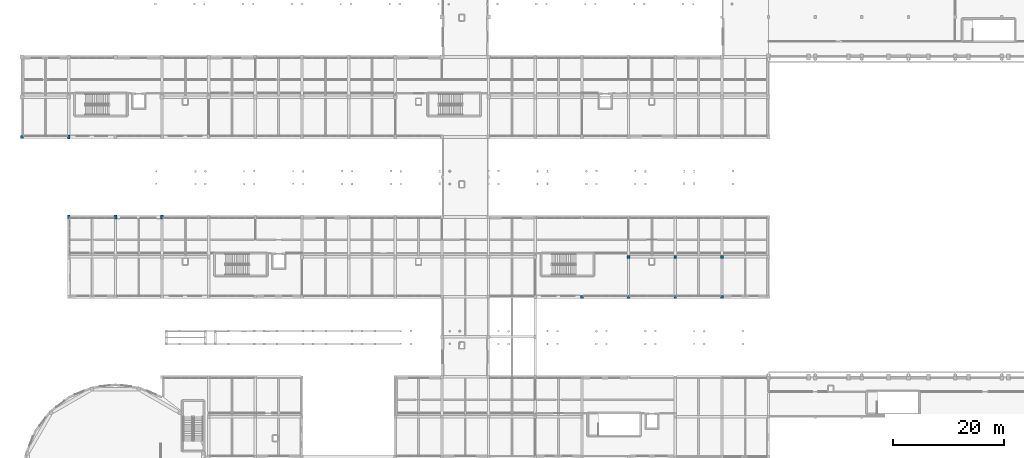
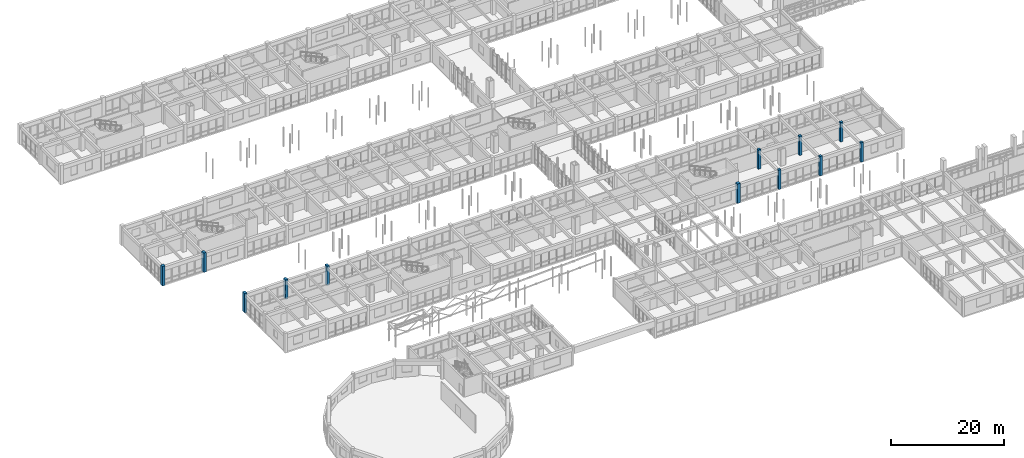
# One storey, part 9 of 147: 12 columns.
"""IFC4 building model written with IfcOpenShell, lengths in metres."""

import ifcopenshell
import ifcopenshell.guid

model = None  # the IFC model being written
_history = None  # IfcOwnerHistory: only IFC2X3 demands one
_inside = {}  # id of a spatial element -> (the spatial element, [elements in it])
_under = {}  # id of a project, library or spatial element -> (it, [spatial elements below it])
_declared = {}  # id of a project -> (the project, [libraries it declares])
_typed = {}  # id of a type object -> (the type object, [elements of that type])
_made_of = {}  # id of a material, layer set ... -> (it, [elements and type objects made of it])


def new_model(schema):
    """Start an empty IFC model of exactly this schema.

    Asked for "IFC4X3", IfcOpenShell would pick the latest addendum, in which some entities
    have other attributes; the version numbers below select the first issue.
    IFC2X3 requires an IfcOwnerHistory on every rooted entity: one is made here for all.
    """
    global model, _history
    if schema == "IFC4X3":
        model = ifcopenshell.file(schema_version=(4, 3, 0, 0))
    else:
        model = ifcopenshell.file(schema=schema)
    _inside.clear()
    _under.clear()
    _declared.clear()
    _typed.clear()
    _made_of.clear()
    _history = None
    if model.schema == "IFC2X3":
        org = make("IfcOrganization", Name="unknown")
        user = make(
            "IfcPersonAndOrganization",
            ThePerson=make("IfcPerson", FamilyName="unknown"),
            TheOrganization=org,
        )
        app = make(
            "IfcApplication",
            ApplicationDeveloper=org,
            Version="unknown",
            ApplicationFullName="unknown",
            ApplicationIdentifier="unknown",
        )
        _history = make(
            "IfcOwnerHistory",
            OwningUser=user,
            OwningApplication=app,
            ChangeAction="ADDED",
            CreationDate=0,
        )
    return model


def make(cls, **values):
    """One entity of the class cls with the attributes given. An attribute that is None is left unset."""
    return model.create_entity(
        cls, **{name: value for name, value in values.items() if value is not None}
    )


def rooted(cls, **values):
    """An entity with a GlobalId (a new one), such as an element, a storey or a relation."""
    return make(cls, GlobalId=ifcopenshell.guid.new(), OwnerHistory=_history, **values)


def si_unit(unit_type, name, prefix=None):
    """IfcSIUnit, for example si_unit("LENGTHUNIT", "METRE", prefix="MILLI")."""
    return make("IfcSIUnit", UnitType=unit_type, Prefix=prefix, Name=name)


def assignment(units):
    """IfcUnitAssignment: the units of a project."""
    return None if units is None else make("IfcUnitAssignment", Units=units)


def point(xyz):
    """IfcCartesianPoint."""
    return None if xyz is None else make("IfcCartesianPoint", Coordinates=xyz)


def direction(xyz):
    """IfcDirection."""
    return None if xyz is None else make("IfcDirection", DirectionRatios=xyz)


def frame(location, z_axis=None, x_axis=None):
    """IfcAxis2Placement3D, a coordinate frame: its origin and axes. An axis left out is left unset."""
    return make(
        "IfcAxis2Placement3D",
        Location=point(location),
        Axis=direction(z_axis),
        RefDirection=direction(x_axis),
    )


def frame_2d(location, x_axis=None):
    """IfcAxis2Placement2D, a coordinate frame in the plane: its origin and x axis."""
    return make(
        "IfcAxis2Placement2D", Location=point(location), RefDirection=direction(x_axis)
    )


def origin():
    """The frame at (0, 0, 0) with its axes left unset."""
    return frame((0.0, 0.0, 0.0))


def origin_2d():
    """The frame at (0, 0) in the plane with its x axis left unset."""
    return frame_2d((0.0, 0.0))


def place(relative_to, where):
    """IfcLocalPlacement: puts the frame where relative to a parent placement (None: the world)."""
    return make(
        "IfcLocalPlacement", PlacementRelTo=relative_to, RelativePlacement=where
    )


def context(
    kind, dimensions, precision=None, world=None, true_north=None, identifier=None
):
    """IfcGeometricRepresentationContext, for example the 3D "Model" context."""
    return make(
        "IfcGeometricRepresentationContext",
        ContextIdentifier=identifier,
        ContextType=kind,
        CoordinateSpaceDimension=dimensions,
        Precision=precision,
        WorldCoordinateSystem=world,
        TrueNorth=true_north,
    )


def subcontext(parent, identifier, kind, view, scale=None):
    """IfcGeometricRepresentationSubContext, for example "Body" below "Model"."""
    return make(
        "IfcGeometricRepresentationSubContext",
        ContextIdentifier=identifier,
        ContextType=kind,
        ParentContext=parent,
        TargetScale=scale,
        TargetView=view,
    )


def project(units=None, contexts=None):
    """IfcProject with its units and contexts."""
    return rooted(
        "IfcProject",
        Name="project",
        RepresentationContexts=contexts,
        UnitsInContext=assignment(units),
    )


def spatial(cls, under=None, at=None, **own):
    """A site, building, storey or space (cls), placed at a placement, below another one or the project."""
    s = rooted(cls, ObjectPlacement=at, **own)
    if under is not None:
        _under.setdefault(under.id(), (under, []))[1].append(s)
    return s


def profile(cls, at=None, kind="AREA", **sizes):
    """A parametric profile (cls). Its sizes go by their IFC names, for example OverallWidth=200.0."""
    return make(cls, ProfileType=kind, Position=at, **sizes)


def rectangle(**sizes):
    """IfcRectangleProfileDef."""
    return profile("IfcRectangleProfileDef", **sizes)


def extrude(swept, where, along, depth):
    """IfcExtrudedAreaSolid: the profile swept, set in the frame where, extruded along a direction by depth."""
    return make(
        "IfcExtrudedAreaSolid",
        SweptArea=swept,
        Position=where,
        ExtrudedDirection=direction(along),
        Depth=depth,
    )


def shape(context_of_items, identifier, shape_type, items):
    """IfcShapeRepresentation: the items that make up one representation, for example the "Body"."""
    return make(
        "IfcShapeRepresentation",
        ContextOfItems=context_of_items,
        RepresentationIdentifier=identifier,
        RepresentationType=shape_type,
        Items=items,
    )


def material(Name=None, Category=None):
    """IfcMaterial."""
    return make("IfcMaterial", Name=Name, Category=Category)


def material_profile(
    of_material, cross_section, Name=None, Category=None, Priority=None
):
    """IfcMaterialProfile: a cross section and its material."""
    return make(
        "IfcMaterialProfile",
        Name=Name,
        Material=of_material,
        Profile=cross_section,
        Priority=Priority,
        Category=Category,
    )


def profile_set(profiles, Name=None, composite=None):
    """IfcMaterialProfileSet."""
    return make(
        "IfcMaterialProfileSet",
        Name=Name,
        MaterialProfiles=profiles,
        CompositeProfile=composite,
    )


def made_of(thing, what):
    """Note that an element or type object is made of a material, layer set ...; save() writes the relation."""
    if what is not None:
        _made_of.setdefault(what.id(), (what, []))[1].append(thing)
    return thing


def type_object(cls, material=None, **own):
    """A type object (cls), such as IfcWallType, which elements share."""
    return made_of(rooted(cls, **own), material)


def element(
    cls,
    number,
    at=None,
    inside=None,
    cuts=None,
    type_object=None,
    material=None,
    context=None,
    identifier="Body",
    shape_type=None,
    held_by="IfcProductDefinitionShape",
    body=None,
    shapes=None,
    **own,
):
    """One element of the class cls, such as IfcWall. Its Tag is "e" and its number.

    at: its placement. inside: the storey or other place that contains it. cuts: it is an
    opening in that element (IfcRelVoidsElement). A single representation is given by context,
    identifier, shape_type and body (its items); several are given by shapes. held_by: the class
    of the entity that holds the representations. save() writes the other relations.
    """
    e = rooted(cls, Tag="e%d" % number, ObjectPlacement=at, **own)
    if body is not None:
        shapes = [shape(context, identifier, shape_type, body)]
    if shapes is not None:
        e.Representation = make(held_by, Representations=shapes)
    if inside is not None:
        _inside.setdefault(inside.id(), (inside, []))[1].append(e)
    if cuts is not None:
        rooted(
            "IfcRelVoidsElement", RelatingBuildingElement=cuts, RelatedOpeningElement=e
        )
    if type_object is not None:
        _typed.setdefault(type_object.id(), (type_object, []))[1].append(e)
    return made_of(e, material)


def aggregate(whole, parts):
    """IfcRelAggregates: a whole, such as a stair, and the parts it consists of."""
    return rooted("IfcRelAggregates", RelatingObject=whole, RelatedObjects=parts)


def save(model, path):
    """Write the relations noted so far, then the file.

    IfcRelAggregates (storeys below a building ...), IfcRelContainedInSpatialStructure (elements
    in a storey), IfcRelDefinesByType, IfcRelAssociatesMaterial and IfcRelDeclares: one each for
    every whole, place, type object, material and project.
    """
    for whole, parts in _under.values():
        aggregate(whole, parts)
    for where, things in _inside.values():
        rooted(
            "IfcRelContainedInSpatialStructure",
            RelatedElements=things,
            RelatingStructure=where,
        )
    for kind, things in _typed.values():
        rooted("IfcRelDefinesByType", RelatedObjects=things, RelatingType=kind)
    for what, things in _made_of.values():
        rooted("IfcRelAssociatesMaterial", RelatedObjects=things, RelatingMaterial=what)
    for by, libraries in _declared.values():
        rooted("IfcRelDeclares", RelatingContext=by, RelatedDefinitions=libraries)
    model.write(path)


model = new_model("IFC4")

# Units and contexts
model_context = context("Model", 3, precision=1e-05, world=origin(), true_north=direction((0.0, 1.0)))
body_context = subcontext(model_context, "Body", "Model", "MODEL_VIEW")
ifc_project = project(units=[si_unit("LENGTHUNIT", "METRE"), si_unit("AREAUNIT", "SQUARE_METRE"), si_unit("VOLUMEUNIT", "CUBIC_METRE"), si_unit("PLANEANGLEUNIT", "RADIAN"), si_unit("MASSUNIT", "GRAM", prefix="KILO")], contexts=[model_context])

# Site, building, storey
site_placement = place(None, origin())
site = spatial("IfcSite", under=ifc_project, at=site_placement, CompositionType="ELEMENT")
building_placement = place(site_placement, origin())
building = spatial("IfcBuilding", under=site, at=building_placement, Name="Malvenik Polytechnic", CompositionType="ELEMENT")
storey_placement = place(building_placement, frame((0.0, 0.0, 5.10009765625)))
storey = spatial("IfcBuildingStorey", under=building, at=storey_placement, Name="L01", CompositionType="ELEMENT", Elevation=5.10009765625)

# Columns
ifc_material = material(Name="Concrete C35/45", Category="concrete")
ifc_material_profile_1 = material_profile(ifc_material, rectangle(XDim=0.60009765625, YDim=0.60009765625, at=origin_2d()), Name="RC COL 600x600")
ifc_profile_set_1 = profile_set([ifc_material_profile_1], Name="Concrete C35/45")
column_type_1 = type_object("IfcColumnType", Name="STR-COL-C-06", PredefinedType="COLUMN", material=ifc_profile_set_1)
for number, where, z_axis, x_axis, name in (
    (1, (0.0, 79.199951171875, 0.0), (0.0, 0.0, 1.0), (1.0, 0.0, 0.0), "Column C-06 L01 (0.0,79.2)"),
    (2, (100.800048828125, 50.39990234375, 0.0), (0.0, 0.0, 1.0), (1.0, 0.0, 0.0), "Column C-06 L01 (100.8,50.4)"),
):
    element("IfcColumn", number, at=place(storey_placement, frame(where, z_axis=z_axis, x_axis=x_axis)), inside=storey, type_object=column_type_1, Name=name, PredefinedType="COLUMN", context=body_context, shape_type="SweptSolid", body=[
        extrude(rectangle(XDim=0.60009765625, YDim=0.60009765625, at=origin_2d()), origin(), (0.0, 0.0, 1.0), 4.199951171875),
    ])
ifc_material_profile_2 = material_profile(ifc_material, rectangle(XDim=0.5, YDim=0.5, at=origin_2d()), Name="RC COL 500x500")
ifc_profile_set_2 = profile_set([ifc_material_profile_2], Name="Concrete C35/45")
column_type_2 = type_object("IfcColumnType", Name="STR-COL-C-08", PredefinedType="COLUMN", material=ifc_profile_set_2)
for number, where, z_axis, x_axis, name in (
    (3, (109.199951171875, 50.39990234375, 0.0), (0.0, 0.0, 1.0), (1.0, 0.0, 0.0), "Column C-08 L01 (109.2,50.4)"),
    (4, (109.199951171875, 57.60009765625, 0.0), (0.0, 0.0, 1.0), (1.0, 0.0, 0.0), "Column C-08 L01 (109.2,57.6)"),
    (5, (117.60009765625, 50.39990234375, 0.0), (0.0, 0.0, 1.0), (1.0, 0.0, 0.0), "Column C-08 L01 (117.6,50.4)"),
    (6, (117.60009765625, 57.60009765625, 0.0), (0.0, 0.0, 1.0), (1.0, 0.0, 0.0), "Column C-08 L01 (117.6,57.6)"),
    (7, (126.0, 50.39990234375, 0.0), (0.0, 0.0, 1.0), (1.0, 0.0, 0.0), "Column C-08 L01 (126.0,50.4)"),
    (8, (126.0, 57.60009765625, 0.0), (0.0, 0.0, 1.0), (1.0, 0.0, 0.0), "Column C-08 L01 (126.0,57.6)"),
):
    element("IfcColumn", number, at=place(storey_placement, frame(where, z_axis=z_axis, x_axis=x_axis)), inside=storey, type_object=column_type_2, Name=name, PredefinedType="COLUMN", context=body_context, shape_type="SweptSolid", body=[
        extrude(rectangle(XDim=0.5, YDim=0.5, at=origin_2d()), origin(), (0.0, 0.0, 1.0), 4.199951171875),
    ])
ifc_material_profile_3 = material_profile(ifc_material, rectangle(XDim=0.5, YDim=0.75, at=origin_2d()), Name="RC COL 750x500")
ifc_profile_set_3 = profile_set([ifc_material_profile_3], Name="Concrete C35/45")
column_type_3 = type_object("IfcColumnType", Name="STR-COL-C-14", PredefinedType="COLUMN", material=ifc_profile_set_3)
for number, where, z_axis, x_axis, name in (
    (9, (8.39990234375, 64.800048828125, 0.0), (0.0, 0.0, 1.0), (1.0, 0.0, 0.0), "Column C-14 L01 (8.4,64.8)"),
    (10, (8.39990234375, 79.199951171875, 0.0), (0.0, 0.0, 1.0), (1.0, 0.0, 0.0), "Column C-14 L01 (8.4,79.2)"),
    (11, (16.800048828125, 64.800048828125, 0.0), (0.0, 0.0, 1.0), (1.0, 0.0, 0.0), "Column C-14 L01 (16.8,64.8)"),
    (12, (25.199951171875, 64.800048828125, 0.0), (0.0, 0.0, 1.0), (1.0, 0.0, 0.0), "Column C-14 L01 (25.2,64.8)"),
):
    element("IfcColumn", number, at=place(storey_placement, frame(where, z_axis=z_axis, x_axis=x_axis)), inside=storey, type_object=column_type_3, Name=name, PredefinedType="COLUMN", context=body_context, shape_type="SweptSolid", body=[
        extrude(rectangle(XDim=0.5, YDim=0.75, at=origin_2d()), origin(), (0.0, 0.0, 1.0), 4.199951171875),
    ])

save(model, "model.ifc")
